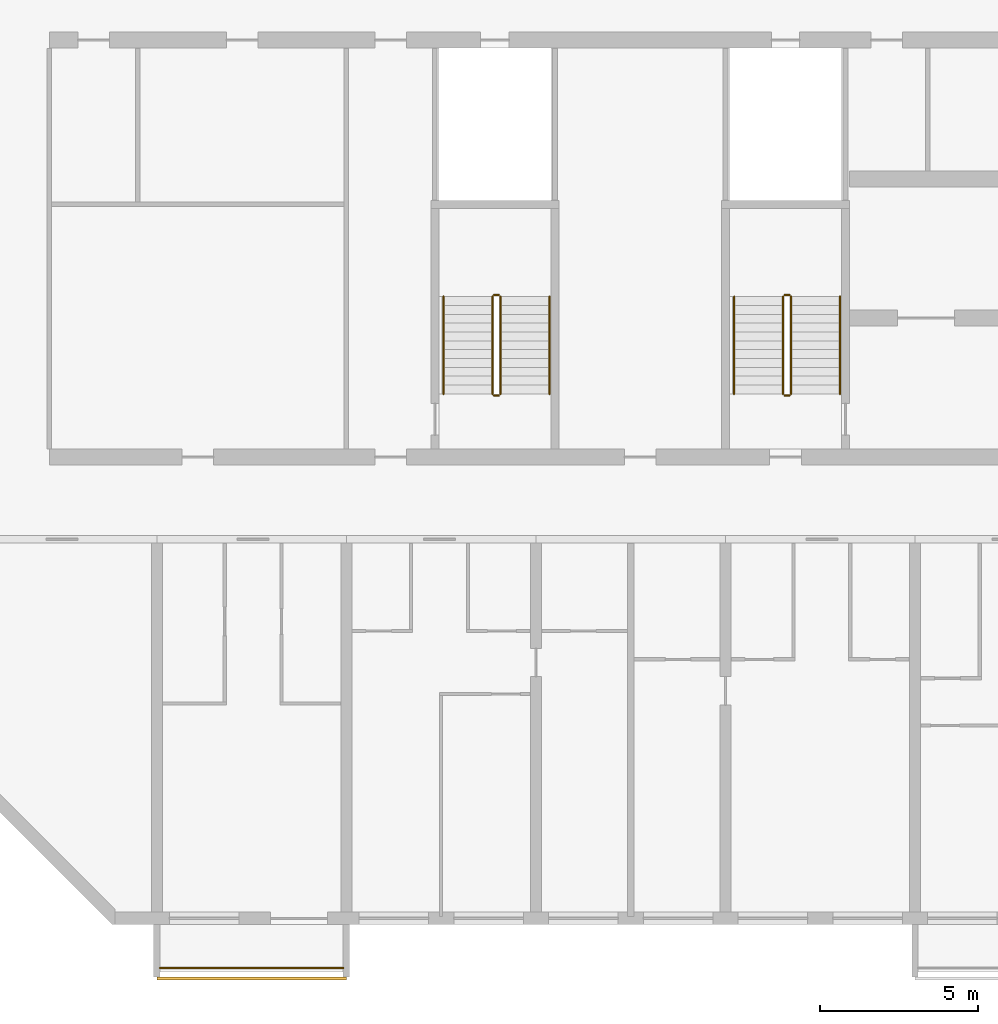
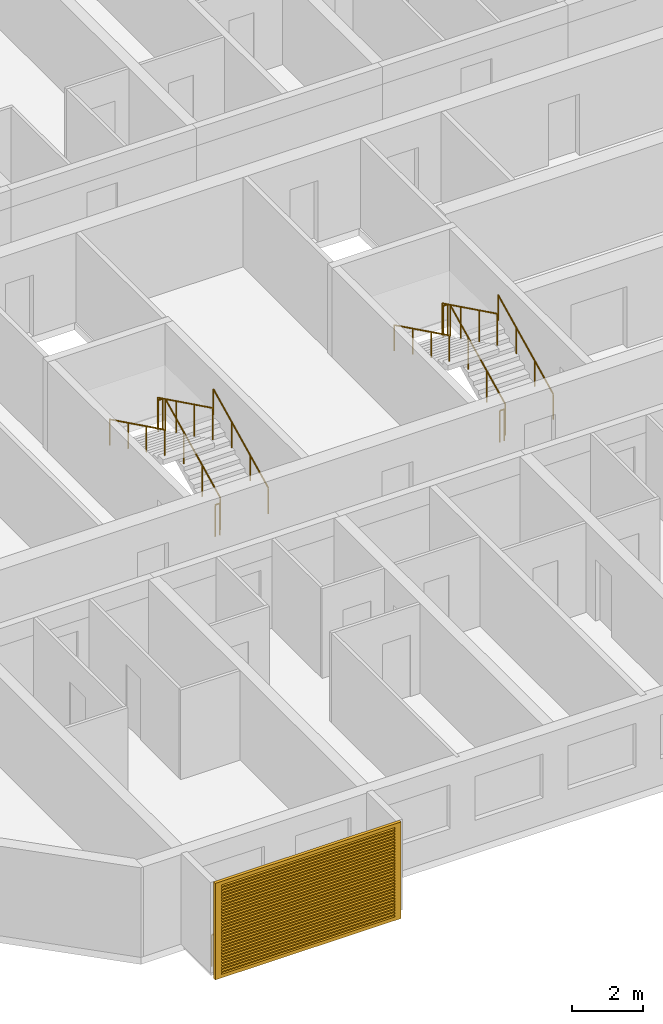
# One storey, part 17 of 26: 13 railings, 1 shading device.
"""IFC4 building model written with IfcOpenShell, lengths in metres."""

from ifc_helpers import new_model, si_unit, direction, frame, origin, origin_2d, place, context, subcontext, project, spatial, polyline, circle, outline, extrude, source, transform, mapped, material, material_profile, profile_set, type_object, element, save


model = new_model("IFC4")

# Units and contexts
model_context = context("Model", 3, precision=1e-05, world=origin(), true_north=direction((0.0, 1.0)))
body_context = subcontext(model_context, "Body", "Model", "MODEL_VIEW")
ifc_project = project(units=[si_unit("LENGTHUNIT", "METRE"), si_unit("AREAUNIT", "SQUARE_METRE"), si_unit("VOLUMEUNIT", "CUBIC_METRE"), si_unit("PLANEANGLEUNIT", "RADIAN"), si_unit("MASSUNIT", "GRAM", prefix="KILO")], contexts=[model_context])

# Site, building, storey
site_placement = place(None, origin())
site = spatial("IfcSite", under=ifc_project, at=site_placement, CompositionType="ELEMENT")
building_placement = place(site_placement, origin())
building = spatial("IfcBuilding", under=site, at=building_placement, Name="Poui Terraces", CompositionType="ELEMENT")
storey_placement = place(building_placement, frame((0.0, 0.0, 96.0)))
storey = spatial("IfcBuildingStorey", under=building, at=storey_placement, Name="L26", CompositionType="ELEMENT", Elevation=96.0)

# Railings
ifc_material_1 = material(Name="Painted steel fretwork", Category="steel")
railing_type_1 = type_object("IfcRailingType", Name="BALCONY GUARD 1100", PredefinedType="GUARDRAIL", material=ifc_material_1)
railing_1_placement = place(storey_placement, frame((12.10009765625, -1.570068359375, 0.0)))
element("IfcRailing", 1, at=railing_1_placement, inside=storey, type_object=railing_type_1, Name="BALCONY GUARD", PredefinedType="GUARDRAIL", context=body_context, shape_type="SweptSolid", body=[
    extrude(circle(Radius=0.02392578125, at=origin_2d()), frame((0.0, 0.0, 1.076171875), z_axis=(1.0, 0.0, 0.0), x_axis=(0.0, 1.0, 0.0)), (0.0, 0.0, 1.0), 5.7998046875),
    extrude(circle(Radius=0.02099609375, at=origin_2d()), origin(), (0.0, 0.0, 1.0), 1.052001953125),
    extrude(circle(Radius=0.02099609375, at=origin_2d()), frame((0.966552734375, 0.0, 0.0)), (0.0, 0.0, 1.0), 1.052001953125),
    extrude(circle(Radius=0.02099609375, at=origin_2d()), frame((1.933349609375, 0.0, 0.0)), (0.0, 0.0, 1.0), 1.052001953125),
    extrude(circle(Radius=0.02099609375, at=origin_2d()), frame((2.89990234375, 0.0, 0.0)), (0.0, 0.0, 1.0), 1.052001953125),
    extrude(circle(Radius=0.02099609375, at=origin_2d()), frame((3.866455078125, 0.0, 0.0)), (0.0, 0.0, 1.0), 1.052001953125),
    extrude(circle(Radius=0.02099609375, at=origin_2d()), frame((4.833251953125, 0.0, 0.0)), (0.0, 0.0, 1.0), 1.052001953125),
    extrude(circle(Radius=0.02099609375, at=origin_2d()), frame((5.7998046875, 0.0, 0.0)), (0.0, 0.0, 1.0), 1.052001953125),
])
ifc_material_2 = material(Name="Galvanised steel balustrade", Category="steel")
railing_type_2 = type_object("IfcRailingType", Name="STAIR GUARD 1100", PredefinedType="GUARDRAIL", material=ifc_material_2)
railing_2_placement = place(storey_placement, frame((32.074951171875, 16.60009765625, 0.137451171875)))
element("IfcRailing", 2, at=railing_2_placement, inside=storey, type_object=railing_type_2, Name="L26 ST-CW stair guard 1", PredefinedType="GUARDRAIL", context=body_context, shape_type="SweptSolid", body=[
    extrude(circle(Radius=0.02392578125, at=origin_2d()), frame((0.0, 0.0, 1.076171875), z_axis=(0.0, 0.897606190399, 0.440798283751), x_axis=(-1.0, 0.0, 0.0)), (0.0, 0.0, 1.0), 3.43115234375),
    extrude(circle(Radius=0.02099609375, at=origin_2d()), origin(), (0.0, 0.0, 1.0), 1.052001953125),
    extrude(circle(Radius=0.02099609375, at=origin_2d()), frame((0.0, 1.026611328125, 0.504150390625)), (0.0, 0.0, 1.0), 1.052001953125),
    extrude(circle(Radius=0.02099609375, at=origin_2d()), frame((0.0, 2.05322265625, 1.00830078125)), (0.0, 0.0, 1.0), 1.052001953125),
    extrude(circle(Radius=0.02099609375, at=origin_2d()), frame((0.0, 3.079833984375, 1.512451171875)), (0.0, 0.0, 1.0), 1.052001953125),
])
railing_3_placement = place(storey_placement, frame((32.02490234375, 19.72998046875, 1.64990234375)))
element("IfcRailing", 3, at=railing_3_placement, inside=storey, type_object=railing_type_2, Name="L26 ST-CW stair guard 2", PredefinedType="GUARDRAIL", context=body_context, shape_type="SweptSolid", body=[
    extrude(circle(Radius=0.02392578125, at=origin_2d()), frame((0.0, 0.0, 1.076171875), z_axis=(-1.0, 0.0, 0.0), x_axis=(0.0, -1.0, 0.0)), (0.0, 0.0, 1.0), 0.14990234375),
    extrude(circle(Radius=0.02099609375, at=origin_2d()), origin(), (0.0, 0.0, 1.0), 1.052001953125),
    extrude(circle(Radius=0.02099609375, at=origin_2d()), frame((-0.14990234375, 0.0, 0.0)), (0.0, 0.0, 1.0), 1.052001953125),
])
railing_4_placement = place(storey_placement, frame((31.824951171875, 19.679931640625, 1.78759765625)))
element("IfcRailing", 4, at=railing_4_placement, inside=storey, type_object=railing_type_2, Name="L26 ST-CW stair guard 3", PredefinedType="GUARDRAIL", context=body_context, shape_type="SweptSolid", body=[
    extrude(circle(Radius=0.02392578125, at=origin_2d()), frame((0.0, 0.0, 1.076171875), z_axis=(0.0, -0.897606190399, 0.440798283751), x_axis=(1.0, 0.0, 0.0)), (0.0, 0.0, 1.0), 3.43115234375),
    extrude(circle(Radius=0.02099609375, at=origin_2d()), origin(), (0.0, 0.0, 1.0), 1.052001953125),
    extrude(circle(Radius=0.02099609375, at=origin_2d()), frame((0.0, -1.026611328125, 0.504150390625)), (0.0, 0.0, 1.0), 1.052001953125),
    extrude(circle(Radius=0.02099609375, at=origin_2d()), frame((0.0, -2.05322265625, 1.00830078125)), (0.0, 0.0, 1.0), 1.052001953125),
    extrude(circle(Radius=0.02099609375, at=origin_2d()), frame((0.0, -3.079833984375, 1.512451171875)), (0.0, 0.0, 1.0), 1.052001953125),
])
railing_5_placement = place(storey_placement, frame((32.02490234375, 16.550048828125, 0.0)))
element("IfcRailing", 5, at=railing_5_placement, inside=storey, type_object=railing_type_2, Name="L26 ST-CW stair guard 4", PredefinedType="GUARDRAIL", context=body_context, shape_type="SweptSolid", body=[
    extrude(circle(Radius=0.02392578125, at=origin_2d()), frame((0.0, 0.0, 1.076171875), z_axis=(-1.0, 0.0, 0.0), x_axis=(0.0, -1.0, 0.0)), (0.0, 0.0, 1.0), 0.14990234375),
    extrude(circle(Radius=0.02099609375, at=origin_2d()), origin(), (0.0, 0.0, 1.0), 1.052001953125),
    extrude(circle(Radius=0.02099609375, at=origin_2d()), frame((-0.14990234375, 0.0, 0.0)), (0.0, 0.0, 1.0), 1.052001953125),
])
railing_6_placement = place(storey_placement, frame((22.875, 16.60009765625, 0.137451171875)))
element("IfcRailing", 6, at=railing_6_placement, inside=storey, type_object=railing_type_2, Name="L26 ST-W stair guard 1", PredefinedType="GUARDRAIL", context=body_context, shape_type="SweptSolid", body=[
    extrude(circle(Radius=0.02392578125, at=origin_2d()), frame((0.0, 0.0, 1.076171875), z_axis=(0.0, 0.897606190399, 0.440798283751), x_axis=(-1.0, 0.0, 0.0)), (0.0, 0.0, 1.0), 3.43115234375),
    extrude(circle(Radius=0.02099609375, at=origin_2d()), origin(), (0.0, 0.0, 1.0), 1.052001953125),
    extrude(circle(Radius=0.02099609375, at=origin_2d()), frame((0.0, 1.026611328125, 0.504150390625)), (0.0, 0.0, 1.0), 1.052001953125),
    extrude(circle(Radius=0.02099609375, at=origin_2d()), frame((0.0, 2.05322265625, 1.00830078125)), (0.0, 0.0, 1.0), 1.052001953125),
    extrude(circle(Radius=0.02099609375, at=origin_2d()), frame((0.0, 3.079833984375, 1.512451171875)), (0.0, 0.0, 1.0), 1.052001953125),
])
railing_7_placement = place(storey_placement, frame((22.824951171875, 19.72998046875, 1.64990234375)))
element("IfcRailing", 7, at=railing_7_placement, inside=storey, type_object=railing_type_2, Name="L26 ST-W stair guard 2", PredefinedType="GUARDRAIL", context=body_context, shape_type="SweptSolid", body=[
    extrude(circle(Radius=0.02392578125, at=origin_2d()), frame((0.0, 0.0, 1.076171875), z_axis=(-1.0, 0.0, 0.0), x_axis=(0.0, -1.0, 0.0)), (0.0, 0.0, 1.0), 0.14990234375),
    extrude(circle(Radius=0.02099609375, at=origin_2d()), origin(), (0.0, 0.0, 1.0), 1.052001953125),
    extrude(circle(Radius=0.02099609375, at=origin_2d()), frame((-0.14990234375, 0.0, 0.0)), (0.0, 0.0, 1.0), 1.052001953125),
])
railing_8_placement = place(storey_placement, frame((22.625, 19.679931640625, 1.78759765625)))
element("IfcRailing", 8, at=railing_8_placement, inside=storey, type_object=railing_type_2, Name="L26 ST-W stair guard 3", PredefinedType="GUARDRAIL", context=body_context, shape_type="SweptSolid", body=[
    extrude(circle(Radius=0.02392578125, at=origin_2d()), frame((0.0, 0.0, 1.076171875), z_axis=(0.0, -0.897606190399, 0.440798283751), x_axis=(1.0, 0.0, 0.0)), (0.0, 0.0, 1.0), 3.43115234375),
    extrude(circle(Radius=0.02099609375, at=origin_2d()), origin(), (0.0, 0.0, 1.0), 1.052001953125),
    extrude(circle(Radius=0.02099609375, at=origin_2d()), frame((0.0, -1.026611328125, 0.504150390625)), (0.0, 0.0, 1.0), 1.052001953125),
    extrude(circle(Radius=0.02099609375, at=origin_2d()), frame((0.0, -2.05322265625, 1.00830078125)), (0.0, 0.0, 1.0), 1.052001953125),
    extrude(circle(Radius=0.02099609375, at=origin_2d()), frame((0.0, -3.079833984375, 1.512451171875)), (0.0, 0.0, 1.0), 1.052001953125),
])
railing_9_placement = place(storey_placement, frame((22.824951171875, 16.550048828125, 0.0)))
element("IfcRailing", 9, at=railing_9_placement, inside=storey, type_object=railing_type_2, Name="L26 ST-W stair guard 4", PredefinedType="GUARDRAIL", context=body_context, shape_type="SweptSolid", body=[
    extrude(circle(Radius=0.02392578125, at=origin_2d()), frame((0.0, 0.0, 1.076171875), z_axis=(-1.0, 0.0, 0.0), x_axis=(0.0, -1.0, 0.0)), (0.0, 0.0, 1.0), 0.14990234375),
    extrude(circle(Radius=0.02099609375, at=origin_2d()), origin(), (0.0, 0.0, 1.0), 1.052001953125),
    extrude(circle(Radius=0.02099609375, at=origin_2d()), frame((-0.14990234375, 0.0, 0.0)), (0.0, 0.0, 1.0), 1.052001953125),
])
ifc_material_3 = material(Name="Stainless steel handrail", Category="steel")
railing_type_3 = type_object("IfcRailingType", Name="STAIR HANDRAIL 900", PredefinedType="HANDRAIL", material=ifc_material_3)
railing_10_placement = place(storey_placement, frame((33.625, 16.60009765625, 0.137451171875)))
element("IfcRailing", 10, at=railing_10_placement, inside=storey, type_object=railing_type_3, Name="L26 ST-CW stair handrail 1", PredefinedType="HANDRAIL", context=body_context, shape_type="SweptSolid", body=[
    extrude(circle(Radius=0.02392578125, at=origin_2d()), frame((0.0, 0.0, 0.8759765625), z_axis=(0.0, 0.897606190399, 0.440798283751), x_axis=(-1.0, 0.0, 0.0)), (0.0, 0.0, 1.0), 3.43115234375),
    extrude(circle(Radius=0.02099609375, at=origin_2d()), origin(), (0.0, 0.0, 1.0), 0.851806640625),
    extrude(circle(Radius=0.02099609375, at=origin_2d()), frame((0.0, 1.026611328125, 0.504150390625)), (0.0, 0.0, 1.0), 0.851806640625),
    extrude(circle(Radius=0.02099609375, at=origin_2d()), frame((0.0, 2.05322265625, 1.00830078125)), (0.0, 0.0, 1.0), 0.851806640625),
    extrude(circle(Radius=0.02099609375, at=origin_2d()), frame((0.0, 3.079833984375, 1.512451171875)), (0.0, 0.0, 1.0), 0.851806640625),
])
railing_11_placement = place(storey_placement, frame((30.27490234375, 19.679931640625, 1.78759765625)))
element("IfcRailing", 11, at=railing_11_placement, inside=storey, type_object=railing_type_3, Name="L26 ST-CW stair handrail 2", PredefinedType="HANDRAIL", context=body_context, shape_type="SweptSolid", body=[
    extrude(circle(Radius=0.02392578125, at=origin_2d()), frame((0.0, 0.0, 0.8759765625), z_axis=(0.0, -0.897606190399, 0.440798283751), x_axis=(1.0, 0.0, 0.0)), (0.0, 0.0, 1.0), 3.43115234375),
    extrude(circle(Radius=0.02099609375, at=origin_2d()), origin(), (0.0, 0.0, 1.0), 0.851806640625),
    extrude(circle(Radius=0.02099609375, at=origin_2d()), frame((0.0, -1.026611328125, 0.504150390625)), (0.0, 0.0, 1.0), 0.851806640625),
    extrude(circle(Radius=0.02099609375, at=origin_2d()), frame((0.0, -2.05322265625, 1.00830078125)), (0.0, 0.0, 1.0), 0.851806640625),
    extrude(circle(Radius=0.02099609375, at=origin_2d()), frame((0.0, -3.079833984375, 1.512451171875)), (0.0, 0.0, 1.0), 0.851806640625),
])
railing_12_placement = place(storey_placement, frame((24.425048828125, 16.60009765625, 0.137451171875)))
element("IfcRailing", 12, at=railing_12_placement, inside=storey, type_object=railing_type_3, Name="L26 ST-W stair handrail 1", PredefinedType="HANDRAIL", context=body_context, shape_type="SweptSolid", body=[
    extrude(circle(Radius=0.02392578125, at=origin_2d()), frame((0.0, 0.0, 0.8759765625), z_axis=(0.0, 0.897606190399, 0.440798283751), x_axis=(-1.0, 0.0, 0.0)), (0.0, 0.0, 1.0), 3.43115234375),
    extrude(circle(Radius=0.02099609375, at=origin_2d()), origin(), (0.0, 0.0, 1.0), 0.851806640625),
    extrude(circle(Radius=0.02099609375, at=origin_2d()), frame((0.0, 1.026611328125, 0.504150390625)), (0.0, 0.0, 1.0), 0.851806640625),
    extrude(circle(Radius=0.02099609375, at=origin_2d()), frame((0.0, 2.05322265625, 1.00830078125)), (0.0, 0.0, 1.0), 0.851806640625),
    extrude(circle(Radius=0.02099609375, at=origin_2d()), frame((0.0, 3.079833984375, 1.512451171875)), (0.0, 0.0, 1.0), 0.851806640625),
])
railing_13_placement = place(storey_placement, frame((21.074951171875, 19.679931640625, 1.78759765625)))
element("IfcRailing", 13, at=railing_13_placement, inside=storey, type_object=railing_type_3, Name="L26 ST-W stair handrail 2", PredefinedType="HANDRAIL", context=body_context, shape_type="SweptSolid", body=[
    extrude(circle(Radius=0.02392578125, at=origin_2d()), frame((0.0, 0.0, 0.8759765625), z_axis=(0.0, -0.897606190399, 0.440798283751), x_axis=(1.0, 0.0, 0.0)), (0.0, 0.0, 1.0), 3.43115234375),
    extrude(circle(Radius=0.02099609375, at=origin_2d()), origin(), (0.0, 0.0, 1.0), 0.851806640625),
    extrude(circle(Radius=0.02099609375, at=origin_2d()), frame((0.0, -1.026611328125, 0.504150390625)), (0.0, 0.0, 1.0), 0.851806640625),
    extrude(circle(Radius=0.02099609375, at=origin_2d()), frame((0.0, -2.05322265625, 1.00830078125)), (0.0, 0.0, 1.0), 0.851806640625),
    extrude(circle(Radius=0.02099609375, at=origin_2d()), frame((0.0, -3.079833984375, 1.512451171875)), (0.0, 0.0, 1.0), 0.851806640625),
])

# Shading device
ifc_material_4 = material(Name="Aluminium louvre", Category="aluminium")
ifc_material_profile = material_profile(ifc_material_4, outline(polyline([(-3.0, -1.64990234375), (3.0, -1.64990234375), (3.0, 1.64990234375), (-3.0, 1.64990234375), (-3.0, -1.64990234375)]), holes=[polyline([(-2.800048828125, -1.530029296875), (2.800048828125, -1.530029296875), (2.800048828125, -1.469970703125), (-2.800048828125, -1.469970703125), (-2.800048828125, -1.530029296875)]), polyline([(-2.800048828125, -1.429931640625), (2.800048828125, -1.429931640625), (2.800048828125, -1.3701171875), (-2.800048828125, -1.3701171875), (-2.800048828125, -1.429931640625)]), polyline([(-2.800048828125, -1.330078125), (2.800048828125, -1.330078125), (2.800048828125, -1.27001953125), (-2.800048828125, -1.27001953125), (-2.800048828125, -1.330078125)]), polyline([(-2.800048828125, -1.22998046875), (2.800048828125, -1.22998046875), (2.800048828125, -1.169921875), (-2.800048828125, -1.169921875), (-2.800048828125, -1.22998046875)]), polyline([(-2.800048828125, -1.1298828125), (2.800048828125, -1.1298828125), (2.800048828125, -1.070068359375), (-2.800048828125, -1.070068359375), (-2.800048828125, -1.1298828125)]), polyline([(-2.800048828125, -1.030029296875), (2.800048828125, -1.030029296875), (2.800048828125, -0.969970703125), (-2.800048828125, -0.969970703125), (-2.800048828125, -1.030029296875)]), polyline([(-2.800048828125, -0.929931640625), (2.800048828125, -0.929931640625), (2.800048828125, -0.8701171875), (-2.800048828125, -0.8701171875), (-2.800048828125, -0.929931640625)]), polyline([(-2.800048828125, -0.830078125), (2.800048828125, -0.830078125), (2.800048828125, -0.77001953125), (-2.800048828125, -0.77001953125), (-2.800048828125, -0.830078125)]), polyline([(-2.800048828125, -0.72998046875), (2.800048828125, -0.72998046875), (2.800048828125, -0.669921875), (-2.800048828125, -0.669921875), (-2.800048828125, -0.72998046875)]), polyline([(-2.800048828125, -0.6298828125), (2.800048828125, -0.6298828125), (2.800048828125, -0.570068359375), (-2.800048828125, -0.570068359375), (-2.800048828125, -0.6298828125)]), polyline([(-2.800048828125, -0.530029296875), (2.800048828125, -0.530029296875), (2.800048828125, -0.469970703125), (-2.800048828125, -0.469970703125), (-2.800048828125, -0.530029296875)]), polyline([(-2.800048828125, -0.429931640625), (2.800048828125, -0.429931640625), (2.800048828125, -0.3701171875), (-2.800048828125, -0.3701171875), (-2.800048828125, -0.429931640625)]), polyline([(-2.800048828125, -0.330078125), (2.800048828125, -0.330078125), (2.800048828125, -0.27001953125), (-2.800048828125, -0.27001953125), (-2.800048828125, -0.330078125)]), polyline([(-2.800048828125, -0.22998046875), (2.800048828125, -0.22998046875), (2.800048828125, -0.169921875), (-2.800048828125, -0.169921875), (-2.800048828125, -0.22998046875)]), polyline([(-2.800048828125, -0.1298828125), (2.800048828125, -0.1298828125), (2.800048828125, -0.070068359375), (-2.800048828125, -0.070068359375), (-2.800048828125, -0.1298828125)]), polyline([(-2.800048828125, -0.030029296875), (2.800048828125, -0.030029296875), (2.800048828125, 0.030029296875), (-2.800048828125, 0.030029296875), (-2.800048828125, -0.030029296875)]), polyline([(-2.800048828125, 0.070068359375), (2.800048828125, 0.070068359375), (2.800048828125, 0.1298828125), (-2.800048828125, 0.1298828125), (-2.800048828125, 0.070068359375)]), polyline([(-2.800048828125, 0.169921875), (2.800048828125, 0.169921875), (2.800048828125, 0.22998046875), (-2.800048828125, 0.22998046875), (-2.800048828125, 0.169921875)]), polyline([(-2.800048828125, 0.27001953125), (2.800048828125, 0.27001953125), (2.800048828125, 0.330078125), (-2.800048828125, 0.330078125), (-2.800048828125, 0.27001953125)]), polyline([(-2.800048828125, 0.3701171875), (2.800048828125, 0.3701171875), (2.800048828125, 0.429931640625), (-2.800048828125, 0.429931640625), (-2.800048828125, 0.3701171875)]), polyline([(-2.800048828125, 0.469970703125), (2.800048828125, 0.469970703125), (2.800048828125, 0.530029296875), (-2.800048828125, 0.530029296875), (-2.800048828125, 0.469970703125)]), polyline([(-2.800048828125, 0.570068359375), (2.800048828125, 0.570068359375), (2.800048828125, 0.6298828125), (-2.800048828125, 0.6298828125), (-2.800048828125, 0.570068359375)]), polyline([(-2.800048828125, 0.669921875), (2.800048828125, 0.669921875), (2.800048828125, 0.72998046875), (-2.800048828125, 0.72998046875), (-2.800048828125, 0.669921875)]), polyline([(-2.800048828125, 0.77001953125), (2.800048828125, 0.77001953125), (2.800048828125, 0.830078125), (-2.800048828125, 0.830078125), (-2.800048828125, 0.77001953125)]), polyline([(-2.800048828125, 0.8701171875), (2.800048828125, 0.8701171875), (2.800048828125, 0.929931640625), (-2.800048828125, 0.929931640625), (-2.800048828125, 0.8701171875)]), polyline([(-2.800048828125, 0.969970703125), (2.800048828125, 0.969970703125), (2.800048828125, 1.030029296875), (-2.800048828125, 1.030029296875), (-2.800048828125, 0.969970703125)]), polyline([(-2.800048828125, 1.070068359375), (2.800048828125, 1.070068359375), (2.800048828125, 1.1298828125), (-2.800048828125, 1.1298828125), (-2.800048828125, 1.070068359375)]), polyline([(-2.800048828125, 1.169921875), (2.800048828125, 1.169921875), (2.800048828125, 1.22998046875), (-2.800048828125, 1.22998046875), (-2.800048828125, 1.169921875)]), polyline([(-2.800048828125, 1.27001953125), (2.800048828125, 1.27001953125), (2.800048828125, 1.330078125), (-2.800048828125, 1.330078125), (-2.800048828125, 1.27001953125)]), polyline([(-2.800048828125, 1.3701171875), (2.800048828125, 1.3701171875), (2.800048828125, 1.429931640625), (-2.800048828125, 1.429931640625), (-2.800048828125, 1.3701171875)]), polyline([(-2.800048828125, 1.469970703125), (2.800048828125, 1.469970703125), (2.800048828125, 1.530029296875), (-2.800048828125, 1.530029296875), (-2.800048828125, 1.469970703125)])]), Name="JALOUSIE LOUVRE SHUTTER 6000X3300")
ifc_profile_set = profile_set([ifc_material_profile], Name="Aluminium louvre")
shading_device_type = type_object("IfcShadingDeviceType", Name="JALOUSIE LOUVRE SHUTTER 6000X3300", PredefinedType="JALOUSIE", material=ifc_profile_set)
shared_shape = source(origin(), body_context, "Body", "SweptSolid", [
    extrude(outline(polyline([(-3.0, -1.64990234375), (3.0, -1.64990234375), (3.0, 1.64990234375), (-3.0, 1.64990234375), (-3.0, -1.64990234375)]), holes=[polyline([(-2.800048828125, -1.530029296875), (2.800048828125, -1.530029296875), (2.800048828125, -1.469970703125), (-2.800048828125, -1.469970703125), (-2.800048828125, -1.530029296875)]), polyline([(-2.800048828125, -1.429931640625), (2.800048828125, -1.429931640625), (2.800048828125, -1.3701171875), (-2.800048828125, -1.3701171875), (-2.800048828125, -1.429931640625)]), polyline([(-2.800048828125, -1.330078125), (2.800048828125, -1.330078125), (2.800048828125, -1.27001953125), (-2.800048828125, -1.27001953125), (-2.800048828125, -1.330078125)]), polyline([(-2.800048828125, -1.22998046875), (2.800048828125, -1.22998046875), (2.800048828125, -1.169921875), (-2.800048828125, -1.169921875), (-2.800048828125, -1.22998046875)]), polyline([(-2.800048828125, -1.1298828125), (2.800048828125, -1.1298828125), (2.800048828125, -1.070068359375), (-2.800048828125, -1.070068359375), (-2.800048828125, -1.1298828125)]), polyline([(-2.800048828125, -1.030029296875), (2.800048828125, -1.030029296875), (2.800048828125, -0.969970703125), (-2.800048828125, -0.969970703125), (-2.800048828125, -1.030029296875)]), polyline([(-2.800048828125, -0.929931640625), (2.800048828125, -0.929931640625), (2.800048828125, -0.8701171875), (-2.800048828125, -0.8701171875), (-2.800048828125, -0.929931640625)]), polyline([(-2.800048828125, -0.830078125), (2.800048828125, -0.830078125), (2.800048828125, -0.77001953125), (-2.800048828125, -0.77001953125), (-2.800048828125, -0.830078125)]), polyline([(-2.800048828125, -0.72998046875), (2.800048828125, -0.72998046875), (2.800048828125, -0.669921875), (-2.800048828125, -0.669921875), (-2.800048828125, -0.72998046875)]), polyline([(-2.800048828125, -0.6298828125), (2.800048828125, -0.6298828125), (2.800048828125, -0.570068359375), (-2.800048828125, -0.570068359375), (-2.800048828125, -0.6298828125)]), polyline([(-2.800048828125, -0.530029296875), (2.800048828125, -0.530029296875), (2.800048828125, -0.469970703125), (-2.800048828125, -0.469970703125), (-2.800048828125, -0.530029296875)]), polyline([(-2.800048828125, -0.429931640625), (2.800048828125, -0.429931640625), (2.800048828125, -0.3701171875), (-2.800048828125, -0.3701171875), (-2.800048828125, -0.429931640625)]), polyline([(-2.800048828125, -0.330078125), (2.800048828125, -0.330078125), (2.800048828125, -0.27001953125), (-2.800048828125, -0.27001953125), (-2.800048828125, -0.330078125)]), polyline([(-2.800048828125, -0.22998046875), (2.800048828125, -0.22998046875), (2.800048828125, -0.169921875), (-2.800048828125, -0.169921875), (-2.800048828125, -0.22998046875)]), polyline([(-2.800048828125, -0.1298828125), (2.800048828125, -0.1298828125), (2.800048828125, -0.070068359375), (-2.800048828125, -0.070068359375), (-2.800048828125, -0.1298828125)]), polyline([(-2.800048828125, -0.030029296875), (2.800048828125, -0.030029296875), (2.800048828125, 0.030029296875), (-2.800048828125, 0.030029296875), (-2.800048828125, -0.030029296875)]), polyline([(-2.800048828125, 0.070068359375), (2.800048828125, 0.070068359375), (2.800048828125, 0.1298828125), (-2.800048828125, 0.1298828125), (-2.800048828125, 0.070068359375)]), polyline([(-2.800048828125, 0.169921875), (2.800048828125, 0.169921875), (2.800048828125, 0.22998046875), (-2.800048828125, 0.22998046875), (-2.800048828125, 0.169921875)]), polyline([(-2.800048828125, 0.27001953125), (2.800048828125, 0.27001953125), (2.800048828125, 0.330078125), (-2.800048828125, 0.330078125), (-2.800048828125, 0.27001953125)]), polyline([(-2.800048828125, 0.3701171875), (2.800048828125, 0.3701171875), (2.800048828125, 0.429931640625), (-2.800048828125, 0.429931640625), (-2.800048828125, 0.3701171875)]), polyline([(-2.800048828125, 0.469970703125), (2.800048828125, 0.469970703125), (2.800048828125, 0.530029296875), (-2.800048828125, 0.530029296875), (-2.800048828125, 0.469970703125)]), polyline([(-2.800048828125, 0.570068359375), (2.800048828125, 0.570068359375), (2.800048828125, 0.6298828125), (-2.800048828125, 0.6298828125), (-2.800048828125, 0.570068359375)]), polyline([(-2.800048828125, 0.669921875), (2.800048828125, 0.669921875), (2.800048828125, 0.72998046875), (-2.800048828125, 0.72998046875), (-2.800048828125, 0.669921875)]), polyline([(-2.800048828125, 0.77001953125), (2.800048828125, 0.77001953125), (2.800048828125, 0.830078125), (-2.800048828125, 0.830078125), (-2.800048828125, 0.77001953125)]), polyline([(-2.800048828125, 0.8701171875), (2.800048828125, 0.8701171875), (2.800048828125, 0.929931640625), (-2.800048828125, 0.929931640625), (-2.800048828125, 0.8701171875)]), polyline([(-2.800048828125, 0.969970703125), (2.800048828125, 0.969970703125), (2.800048828125, 1.030029296875), (-2.800048828125, 1.030029296875), (-2.800048828125, 0.969970703125)]), polyline([(-2.800048828125, 1.070068359375), (2.800048828125, 1.070068359375), (2.800048828125, 1.1298828125), (-2.800048828125, 1.1298828125), (-2.800048828125, 1.070068359375)]), polyline([(-2.800048828125, 1.169921875), (2.800048828125, 1.169921875), (2.800048828125, 1.22998046875), (-2.800048828125, 1.22998046875), (-2.800048828125, 1.169921875)]), polyline([(-2.800048828125, 1.27001953125), (2.800048828125, 1.27001953125), (2.800048828125, 1.330078125), (-2.800048828125, 1.330078125), (-2.800048828125, 1.27001953125)]), polyline([(-2.800048828125, 1.3701171875), (2.800048828125, 1.3701171875), (2.800048828125, 1.429931640625), (-2.800048828125, 1.429931640625), (-2.800048828125, 1.3701171875)]), polyline([(-2.800048828125, 1.469970703125), (2.800048828125, 1.469970703125), (2.800048828125, 1.530029296875), (-2.800048828125, 1.530029296875), (-2.800048828125, 1.469970703125)])]), origin(), (0.0, 0.0, 1.0), 0.099853515625),
])
shading_device_placement = place(storey_placement, frame((15.0, -1.85009765625, 1.449951171875), z_axis=(0.0, -1.0, 0.0), x_axis=(1.0, 0.0, 0.0)))
element("IfcShadingDevice", 14, at=shading_device_placement, inside=storey, type_object=shading_device_type, Name="JALOUSIE LOUVRE SHUTTER", PredefinedType="JALOUSIE", context=body_context, shape_type="MappedRepresentation", body=[
    mapped(shared_shape, transform((0.0, 0.0, 0.0))),
])

save(model, "model.ifc")
